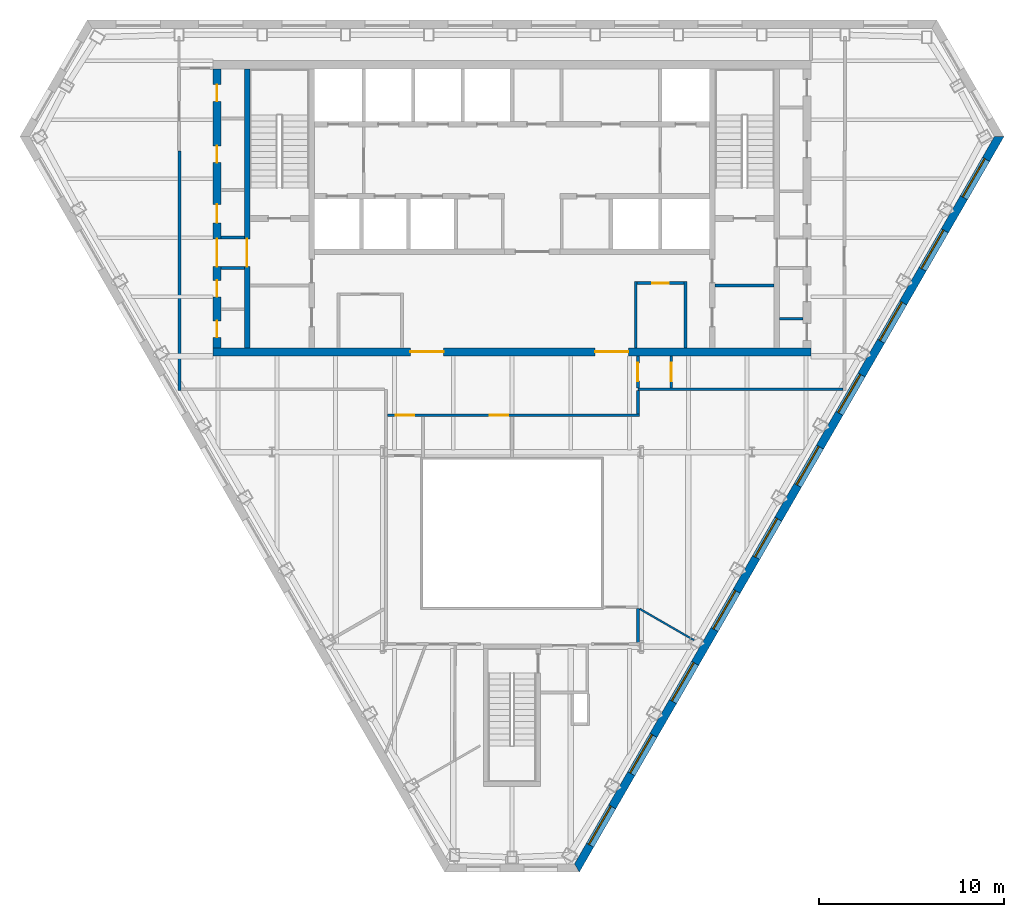
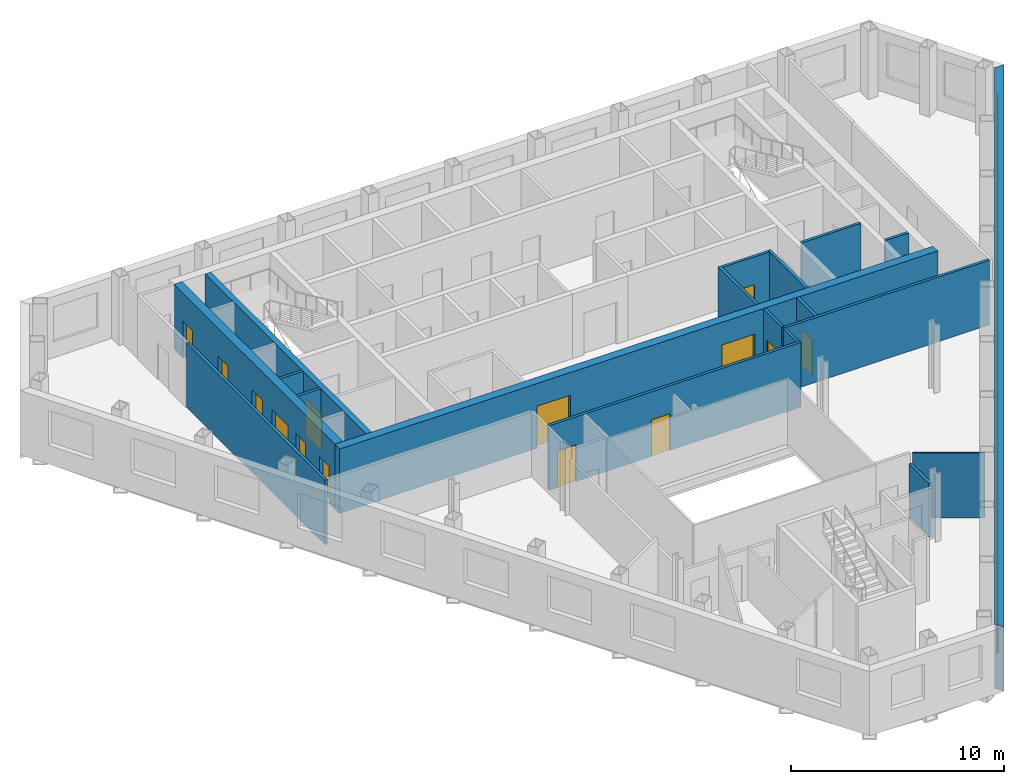
# One storey, part 5 of 11: 19 walls, 14 doors, 10 windows, 24 openings.
"""IFC4 building model written with IfcOpenShell, lengths in metres."""

import ifcopenshell
import ifcopenshell.guid

model = None  # the IFC model being written
_history = None  # IfcOwnerHistory: only IFC2X3 demands one
_inside = {}  # id of a spatial element -> (the spatial element, [elements in it])
_under = {}  # id of a project, library or spatial element -> (it, [spatial elements below it])
_declared = {}  # id of a project -> (the project, [libraries it declares])
_typed = {}  # id of a type object -> (the type object, [elements of that type])
_made_of = {}  # id of a material, layer set ... -> (it, [elements and type objects made of it])


def new_model(schema):
    """Start an empty IFC model of exactly this schema.

    Asked for "IFC4X3", IfcOpenShell would pick the latest addendum, in which some entities
    have other attributes; the version numbers below select the first issue.
    IFC2X3 requires an IfcOwnerHistory on every rooted entity: one is made here for all.
    """
    global model, _history
    if schema == "IFC4X3":
        model = ifcopenshell.file(schema_version=(4, 3, 0, 0))
    else:
        model = ifcopenshell.file(schema=schema)
    _inside.clear()
    _under.clear()
    _declared.clear()
    _typed.clear()
    _made_of.clear()
    _history = None
    if model.schema == "IFC2X3":
        org = make("IfcOrganization", Name="unknown")
        user = make(
            "IfcPersonAndOrganization",
            ThePerson=make("IfcPerson", FamilyName="unknown"),
            TheOrganization=org,
        )
        app = make(
            "IfcApplication",
            ApplicationDeveloper=org,
            Version="unknown",
            ApplicationFullName="unknown",
            ApplicationIdentifier="unknown",
        )
        _history = make(
            "IfcOwnerHistory",
            OwningUser=user,
            OwningApplication=app,
            ChangeAction="ADDED",
            CreationDate=0,
        )
    return model


def make(cls, **values):
    """One entity of the class cls with the attributes given. An attribute that is None is left unset."""
    return model.create_entity(
        cls, **{name: value for name, value in values.items() if value is not None}
    )


def rooted(cls, **values):
    """An entity with a GlobalId (a new one), such as an element, a storey or a relation."""
    return make(cls, GlobalId=ifcopenshell.guid.new(), OwnerHistory=_history, **values)


def si_unit(unit_type, name, prefix=None):
    """IfcSIUnit, for example si_unit("LENGTHUNIT", "METRE", prefix="MILLI")."""
    return make("IfcSIUnit", UnitType=unit_type, Prefix=prefix, Name=name)


def assignment(units):
    """IfcUnitAssignment: the units of a project."""
    return None if units is None else make("IfcUnitAssignment", Units=units)


def point(xyz):
    """IfcCartesianPoint."""
    return None if xyz is None else make("IfcCartesianPoint", Coordinates=xyz)


def direction(xyz):
    """IfcDirection."""
    return None if xyz is None else make("IfcDirection", DirectionRatios=xyz)


def frame(location, z_axis=None, x_axis=None):
    """IfcAxis2Placement3D, a coordinate frame: its origin and axes. An axis left out is left unset."""
    return make(
        "IfcAxis2Placement3D",
        Location=point(location),
        Axis=direction(z_axis),
        RefDirection=direction(x_axis),
    )


def frame_2d(location, x_axis=None):
    """IfcAxis2Placement2D, a coordinate frame in the plane: its origin and x axis."""
    return make(
        "IfcAxis2Placement2D", Location=point(location), RefDirection=direction(x_axis)
    )


def origin():
    """The frame at (0, 0, 0) with its axes left unset."""
    return frame((0.0, 0.0, 0.0))


def place(relative_to, where):
    """IfcLocalPlacement: puts the frame where relative to a parent placement (None: the world)."""
    return make(
        "IfcLocalPlacement", PlacementRelTo=relative_to, RelativePlacement=where
    )


def context(
    kind, dimensions, precision=None, world=None, true_north=None, identifier=None
):
    """IfcGeometricRepresentationContext, for example the 3D "Model" context."""
    return make(
        "IfcGeometricRepresentationContext",
        ContextIdentifier=identifier,
        ContextType=kind,
        CoordinateSpaceDimension=dimensions,
        Precision=precision,
        WorldCoordinateSystem=world,
        TrueNorth=true_north,
    )


def subcontext(parent, identifier, kind, view, scale=None):
    """IfcGeometricRepresentationSubContext, for example "Body" below "Model"."""
    return make(
        "IfcGeometricRepresentationSubContext",
        ContextIdentifier=identifier,
        ContextType=kind,
        ParentContext=parent,
        TargetScale=scale,
        TargetView=view,
    )


def project(units=None, contexts=None):
    """IfcProject with its units and contexts."""
    return rooted(
        "IfcProject",
        Name="project",
        RepresentationContexts=contexts,
        UnitsInContext=assignment(units),
    )


def spatial(cls, under=None, at=None, **own):
    """A site, building, storey or space (cls), placed at a placement, below another one or the project."""
    s = rooted(cls, ObjectPlacement=at, **own)
    if under is not None:
        _under.setdefault(under.id(), (under, []))[1].append(s)
    return s


def polyline(points):
    """IfcPolyline through the points."""
    return make("IfcPolyline", Points=[point(p) for p in points])


def profile(cls, at=None, kind="AREA", **sizes):
    """A parametric profile (cls). Its sizes go by their IFC names, for example OverallWidth=200.0."""
    return make(cls, ProfileType=kind, Position=at, **sizes)


def rectangle(**sizes):
    """IfcRectangleProfileDef."""
    return profile("IfcRectangleProfileDef", **sizes)


def outline(outer, holes=None, kind="AREA"):
    """IfcArbitraryClosedProfileDef: a profile drawn as a closed curve; with holes, ...WithVoids."""
    if holes is None:
        return make("IfcArbitraryClosedProfileDef", ProfileType=kind, OuterCurve=outer)
    return make(
        "IfcArbitraryProfileDefWithVoids",
        ProfileType=kind,
        OuterCurve=outer,
        InnerCurves=holes,
    )


def extrude(swept, where, along, depth):
    """IfcExtrudedAreaSolid: the profile swept, set in the frame where, extruded along a direction by depth."""
    return make(
        "IfcExtrudedAreaSolid",
        SweptArea=swept,
        Position=where,
        ExtrudedDirection=direction(along),
        Depth=depth,
    )


def shape(context_of_items, identifier, shape_type, items):
    """IfcShapeRepresentation: the items that make up one representation, for example the "Body"."""
    return make(
        "IfcShapeRepresentation",
        ContextOfItems=context_of_items,
        RepresentationIdentifier=identifier,
        RepresentationType=shape_type,
        Items=items,
    )


def material(Name=None, Category=None):
    """IfcMaterial."""
    return make("IfcMaterial", Name=Name, Category=Category)


def layer(
    of_material, thickness, ventilated=None, Name=None, Category=None, Priority=None
):
    """IfcMaterialLayer: one layer of a wall or slab, of a material (None: an air gap)."""
    return make(
        "IfcMaterialLayer",
        Material=of_material,
        LayerThickness=thickness,
        IsVentilated=ventilated,
        Name=Name,
        Category=Category,
        Priority=Priority,
    )


def layer_set(layers, Name=None):
    """IfcMaterialLayerSet."""
    return make("IfcMaterialLayerSet", MaterialLayers=layers, LayerSetName=Name)


def made_of(thing, what):
    """Note that an element or type object is made of a material, layer set ...; save() writes the relation."""
    if what is not None:
        _made_of.setdefault(what.id(), (what, []))[1].append(thing)
    return thing


def type_object(cls, material=None, **own):
    """A type object (cls), such as IfcWallType, which elements share."""
    return made_of(rooted(cls, **own), material)


def element(
    cls,
    number,
    at=None,
    inside=None,
    cuts=None,
    type_object=None,
    material=None,
    context=None,
    identifier="Body",
    shape_type=None,
    held_by="IfcProductDefinitionShape",
    body=None,
    shapes=None,
    **own,
):
    """One element of the class cls, such as IfcWall. Its Tag is "e" and its number.

    at: its placement. inside: the storey or other place that contains it. cuts: it is an
    opening in that element (IfcRelVoidsElement). A single representation is given by context,
    identifier, shape_type and body (its items); several are given by shapes. held_by: the class
    of the entity that holds the representations. save() writes the other relations.
    """
    e = rooted(cls, Tag="e%d" % number, ObjectPlacement=at, **own)
    if body is not None:
        shapes = [shape(context, identifier, shape_type, body)]
    if shapes is not None:
        e.Representation = make(held_by, Representations=shapes)
    if inside is not None:
        _inside.setdefault(inside.id(), (inside, []))[1].append(e)
    if cuts is not None:
        rooted(
            "IfcRelVoidsElement", RelatingBuildingElement=cuts, RelatedOpeningElement=e
        )
    if type_object is not None:
        _typed.setdefault(type_object.id(), (type_object, []))[1].append(e)
    return made_of(e, material)


def fill(opening, filler):
    """IfcRelFillsElement: the door or window that sits in an opening."""
    return rooted(
        "IfcRelFillsElement",
        RelatingOpeningElement=opening,
        RelatedBuildingElement=filler,
    )


def aggregate(whole, parts):
    """IfcRelAggregates: a whole, such as a stair, and the parts it consists of."""
    return rooted("IfcRelAggregates", RelatingObject=whole, RelatedObjects=parts)


def save(model, path):
    """Write the relations noted so far, then the file.

    IfcRelAggregates (storeys below a building ...), IfcRelContainedInSpatialStructure (elements
    in a storey), IfcRelDefinesByType, IfcRelAssociatesMaterial and IfcRelDeclares: one each for
    every whole, place, type object, material and project.
    """
    for whole, parts in _under.values():
        aggregate(whole, parts)
    for where, things in _inside.values():
        rooted(
            "IfcRelContainedInSpatialStructure",
            RelatedElements=things,
            RelatingStructure=where,
        )
    for kind, things in _typed.values():
        rooted("IfcRelDefinesByType", RelatedObjects=things, RelatingType=kind)
    for what, things in _made_of.values():
        rooted("IfcRelAssociatesMaterial", RelatedObjects=things, RelatingMaterial=what)
    for by, libraries in _declared.values():
        rooted("IfcRelDeclares", RelatingContext=by, RelatedDefinitions=libraries)
    model.write(path)


model = new_model("IFC4")

# Units and contexts
model_context = context("Model", 3, precision=1e-05, world=origin(), true_north=direction((0.0, 1.0)))
body_context = subcontext(model_context, "Body", "Model", "MODEL_VIEW")
ifc_project = project(units=[si_unit("LENGTHUNIT", "METRE"), si_unit("AREAUNIT", "SQUARE_METRE"), si_unit("VOLUMEUNIT", "CUBIC_METRE"), si_unit("PLANEANGLEUNIT", "RADIAN"), si_unit("MASSUNIT", "GRAM", prefix="KILO")], contexts=[model_context])

# Site, building, storey
site_placement = place(None, origin())
site = spatial("IfcSite", under=ifc_project, at=site_placement, CompositionType="ELEMENT")
building_placement = place(site_placement, origin())
building = spatial("IfcBuilding", under=site, at=building_placement, Name="Njiva Tower", CompositionType="ELEMENT")
storey_placement = place(building_placement, frame((0.0, 0.0, 204.3)))
storey = spatial("IfcBuildingStorey", under=building, at=storey_placement, Name="L45", CompositionType="ELEMENT", Elevation=204.3)

# Walls
ifc_material_1 = material(Name="Blockwork", Category="masonry")
ifc_layer_1 = layer(ifc_material_1, 0.15)
ifc_layer_set_1 = layer_set([ifc_layer_1], Name="Blockwork")
wall_type_1 = type_object("IfcWallType", Name="WT1 Compartment partition 150", PredefinedType="PARTITIONING", material=ifc_layer_set_1)
wall_1_placement = place(storey_placement, frame((11.0, 5.825, 0.0), z_axis=(0.0, 0.0, 1.0), x_axis=(1.0, 0.0, 0.0)))
element("IfcWall", 1, at=wall_1_placement, inside=storey, type_object=wall_type_1, Name="Room wall B", PredefinedType="PARTITIONING", context=body_context, shape_type="SweptSolid", body=[
    extrude(rectangle(XDim=3.2, YDim=0.15, at=frame_2d((1.6, 0.0))), origin(), (0.0, 0.0, 1.0), 3.7),
])
wall_2_placement = place(storey_placement, frame((14.5, 4.025, 0.0), z_axis=(0.0, 0.0, 1.0), x_axis=(1.0, 0.0, 0.0)))
element("IfcWall", 2, at=wall_2_placement, inside=storey, type_object=wall_type_1, Name="Partition strip E00", PredefinedType="PARTITIONING", context=body_context, shape_type="SweptSolid", body=[
    extrude(rectangle(XDim=1.25, YDim=0.15, at=frame_2d((0.625, 0.0))), origin(), (0.0, 0.0, 1.0), 3.7),
])
for number, where, z_axis, x_axis, name in (
    (3, (6.7, 2.45, 0.0), (0.0, 0.0, 1.0), (0.0, 1.0, 0.0), "Information office wall west"),
    (4, (9.4, 2.45, 0.0), (0.0, 0.0, 1.0), (0.0, 1.0, 0.0), "Information office wall east"),
):
    element("IfcWall", number, at=place(storey_placement, frame(where, z_axis=z_axis, x_axis=x_axis)), inside=storey, type_object=wall_type_1, Name=name, PredefinedType="PARTITIONING", context=body_context, shape_type="SweptSolid", body=[
        extrude(rectangle(XDim=3.575, YDim=0.15, at=frame_2d((1.7875, 0.0))), origin(), (0.0, 0.0, 1.0), 3.7),
    ])

# Wall, opening, door
wall_3_placement = place(storey_placement, frame((6.775, 5.95, 0.0), z_axis=(0.0, 0.0, 1.0), x_axis=(1.0, 0.0, 0.0)))
wall_3 = element("IfcWall", 5, at=wall_3_placement, inside=storey, type_object=wall_type_1, Name="Information office wall north", PredefinedType="PARTITIONING", context=body_context, shape_type="SweptSolid", body=[
    extrude(rectangle(XDim=2.55, YDim=0.15, at=frame_2d((1.275, 0.0))), origin(), (0.0, 0.0, 1.0), 3.7),
])
opening_1_placement = place(wall_3_placement, frame((0.825, 0.0, 0.0)))
opening_1 = element("IfcOpeningElement", 6, at=opening_1_placement, cuts=wall_3, Name="Opening S15-D936", PredefinedType="OPENING", context=body_context, shape_type="SweptSolid", body=[
    extrude(rectangle(XDim=0.9, YDim=2.1, at=frame_2d((0.45, 1.05))), frame((0.0, 0.085, 0.0), z_axis=(0.0, -1.0, 0.0), x_axis=(1.0, 0.0, 0.0)), (0.0, 0.0, 1.0), 0.17),
])
ifc_material_2 = material(Name="Steel fire door, painted", Category="steel")
door_type_1 = type_object("IfcDoorType", Name="D6 Fire-rated door 900x2100", OperationType="SINGLE_SWING_LEFT", PredefinedType="DOOR", material=ifc_material_2)
door_1_placement = place(opening_1_placement, origin())
door_1 = element("IfcDoor", 7, at=door_1_placement, inside=storey, type_object=door_type_1, Name="Information office door", OperationType="SINGLE_SWING_RIGHT", OverallHeight=2.1, OverallWidth=0.9, PredefinedType="DOOR", context=body_context, shape_type="SweptSolid", body=[
    extrude(rectangle(XDim=0.9, YDim=2.1, at=frame_2d((0.45, 1.05))), frame((0.0, 0.025, 0.0), z_axis=(0.0, -1.0, 0.0), x_axis=(1.0, 0.0, 0.0)), (0.0, 0.0, 1.0), 0.05),
])
fill(opening_1, door_1)

ifc_material_3 = material(Name="Concrete C40/50", Category="concrete")
ifc_layer_2 = layer(ifc_material_3, 0.3)
ifc_layer_set_2 = layer_set([ifc_layer_2], Name="Concrete C40/50")
wall_type_2 = type_object("IfcWallType", Name="WT10 Stair enclosure wall 300", PredefinedType="SHEAR", material=ifc_layer_set_2)
wall_4_placement = place(storey_placement, frame((-14.35, 2.45, 0.0), z_axis=(0.0, 0.0, 1.0), x_axis=(0.0, 1.0, 0.0)))
wall_4 = element("IfcWall", 8, at=wall_4_placement, inside=storey, type_object=wall_type_2, Name="Stair wall west outer", PredefinedType="SHEAR", context=body_context, shape_type="SweptSolid", body=[
    extrude(rectangle(XDim=15.1, YDim=0.3, at=frame_2d((7.55, 0.0))), origin(), (0.0, 0.0, 1.0), 3.7),
])
opening_2_placement = place(wall_4_placement, frame((4.4, 0.0, 0.0)))
opening_2 = element("IfcOpeningElement", 9, at=opening_2_placement, cuts=wall_4, Name="Opening S15-D921", PredefinedType="OPENING", context=body_context, shape_type="SweptSolid", body=[
    extrude(rectangle(XDim=1.5, YDim=2.1, at=frame_2d((0.75, 1.05))), frame((0.0, 0.16, 0.0), z_axis=(0.0, -1.0, 0.0), x_axis=(1.0, 0.0, 0.0)), (0.0, 0.0, 1.0), 0.32),
])
ifc_material_4 = material(Name="Glazed steel fire door", Category="steel")
door_type_2 = type_object("IfcDoorType", Name="D10 Exit door double 1500x2100 glazed", OperationType="DOUBLE_DOOR_SINGLE_SWING", PredefinedType="DOOR", material=ifc_material_4)
door_2_placement = place(opening_2_placement, origin())
door_2 = element("IfcDoor", 10, at=door_2_placement, inside=storey, type_object=door_type_2, Name="Stair A passage door", OperationType="DOUBLE_DOOR_SINGLE_SWING", OverallHeight=2.1, OverallWidth=1.5, PredefinedType="DOOR", context=body_context, shape_type="SweptSolid", body=[
    extrude(rectangle(XDim=1.5, YDim=2.1, at=frame_2d((0.75, 1.05))), frame((0.0, 0.025, 0.0), z_axis=(0.0, -1.0, 0.0), x_axis=(1.0, 0.0, 0.0)), (0.0, 0.0, 1.0), 0.05),
])
fill(opening_2, door_2)

# Wall, openings, doors
ifc_material_5 = material(Name="Concrete C60/75", Category="concrete")
ifc_layer_3 = layer(ifc_material_5, 0.45)
ifc_layer_set_3 = layer_set([ifc_layer_3], Name="Concrete C60/75")
wall_type_3 = type_object("IfcWallType", Name="WT12 Core wall 450", PredefinedType="SHEAR", material=ifc_layer_set_3)
wall_5_placement = place(storey_placement, frame((-16.2, 2.225, 0.0), z_axis=(0.0, 0.0, 1.0), x_axis=(1.0, 0.0, 0.0)))
wall_5 = element("IfcWall", 11, at=wall_5_placement, inside=storey, type_object=wall_type_3, Name="Core wall south", PredefinedType="SHEAR", context=body_context, shape_type="SweptSolid", body=[
    extrude(rectangle(XDim=32.4, YDim=0.45, at=frame_2d((16.2, 0.0))), origin(), (0.0, 0.0, 1.0), 3.7),
])
opening_3_placement = place(wall_5_placement, frame((10.7, 0.0, 0.0)))
opening_3 = element("IfcOpeningElement", 12, at=opening_3_placement, cuts=wall_5, Name="Opening S15-D938", PredefinedType="OPENING", context=body_context, shape_type="SweptSolid", body=[
    extrude(rectangle(XDim=1.8, YDim=2.4, at=frame_2d((0.9, 1.2))), frame((0.0, 0.235, 0.0), z_axis=(0.0, -1.0, 0.0), x_axis=(1.0, 0.0, 0.0)), (0.0, 0.0, 1.0), 0.47),
])
opening_4_placement = place(wall_5_placement, frame((20.7, 0.0, 0.0)))
opening_4 = element("IfcOpeningElement", 13, at=opening_4_placement, cuts=wall_5, Name="Opening S15-D939", PredefinedType="OPENING", context=body_context, shape_type="SweptSolid", body=[
    extrude(rectangle(XDim=1.8, YDim=2.4, at=frame_2d((0.9, 1.2))), frame((0.0, 0.235, 0.0), z_axis=(0.0, -1.0, 0.0), x_axis=(1.0, 0.0, 0.0)), (0.0, 0.0, 1.0), 0.47),
])
ifc_material_6 = material(Name="Steel and glass door", Category="steel")
door_type_3 = type_object("IfcDoorType", Name="D3 Core entrance door 1800x2400", OperationType="DOUBLE_DOOR_SINGLE_SWING", PredefinedType="DOOR", material=ifc_material_6)
door_3_placement = place(opening_3_placement, origin())
door_3 = element("IfcDoor", 14, at=door_3_placement, inside=storey, type_object=door_type_3, Name="Core entrance door", OperationType="DOUBLE_DOOR_SINGLE_SWING", OverallHeight=2.4, OverallWidth=1.8, PredefinedType="DOOR", context=body_context, shape_type="SweptSolid", body=[
    extrude(rectangle(XDim=1.8, YDim=2.4, at=frame_2d((0.9, 1.2))), frame((0.0, 0.025, 0.0), z_axis=(0.0, -1.0, 0.0), x_axis=(1.0, 0.0, 0.0)), (0.0, 0.0, 1.0), 0.05),
])
fill(opening_3, door_3)
door_4_placement = place(opening_4_placement, origin())
door_4 = element("IfcDoor", 15, at=door_4_placement, inside=storey, type_object=door_type_3, Name="Core entrance door", OperationType="DOUBLE_DOOR_SINGLE_SWING", OverallHeight=2.4, OverallWidth=1.8, PredefinedType="DOOR", context=body_context, shape_type="SweptSolid", body=[
    extrude(rectangle(XDim=1.8, YDim=2.4, at=frame_2d((0.9, 1.2))), frame((0.0, 0.025, 0.0), z_axis=(0.0, -1.0, 0.0), x_axis=(1.0, 0.0, 0.0)), (0.0, 0.0, 1.0), 0.05),
])
fill(opening_4, door_4)

wall_6_placement = place(storey_placement, frame((-15.975, 2.45, 0.0), z_axis=(0.0, 0.0, 1.0), x_axis=(0.0, 1.0, 0.0)))
wall_6 = element("IfcWall", 16, at=wall_6_placement, inside=storey, type_object=wall_type_3, Name="Core wall west", PredefinedType="SHEAR", context=body_context, shape_type="SweptSolid", body=[
    extrude(rectangle(XDim=15.1, YDim=0.45, at=frame_2d((7.55, 0.0))), origin(), (0.0, 0.0, 1.0), 3.7),
])
opening_5_placement = place(wall_6_placement, frame((4.4, 0.0, 0.0)))
opening_5 = element("IfcOpeningElement", 17, at=opening_5_placement, cuts=wall_6, Name="Opening S15-D922", PredefinedType="OPENING", context=body_context, shape_type="SweptSolid", body=[
    extrude(rectangle(XDim=1.5, YDim=2.1, at=frame_2d((0.75, 1.05))), frame((0.0, 0.235, 0.0), z_axis=(0.0, -1.0, 0.0), x_axis=(1.0, 0.0, 0.0)), (0.0, 0.0, 1.0), 0.47),
])
opening_6_placement = place(wall_6_placement, frame((0.5557, 0.0, 0.0)))
opening_6 = element("IfcOpeningElement", 18, at=opening_6_placement, cuts=wall_6, Name="Opening S15-D923", PredefinedType="OPENING", context=body_context, shape_type="SweptSolid", body=[
    extrude(rectangle(XDim=0.9, YDim=2.1, at=frame_2d((0.45, 1.05))), frame((0.0, 0.235, 0.0), z_axis=(0.0, -1.0, 0.0), x_axis=(1.0, 0.0, 0.0)), (0.0, 0.0, 1.0), 0.47),
])
opening_7_placement = place(wall_6_placement, frame((2.7557, 0.0, 0.0)))
opening_7 = element("IfcOpeningElement", 19, at=opening_7_placement, cuts=wall_6, Name="Opening S15-D924", PredefinedType="OPENING", context=body_context, shape_type="SweptSolid", body=[
    extrude(rectangle(XDim=0.9, YDim=2.1, at=frame_2d((0.45, 1.05))), frame((0.0, 0.235, 0.0), z_axis=(0.0, -1.0, 0.0), x_axis=(1.0, 0.0, 0.0)), (0.0, 0.0, 1.0), 0.47),
])
opening_8_placement = place(wall_6_placement, frame((6.7601, 0.0, 0.0)))
opening_8 = element("IfcOpeningElement", 20, at=opening_8_placement, cuts=wall_6, Name="Opening S15-D925", PredefinedType="OPENING", context=body_context, shape_type="SweptSolid", body=[
    extrude(rectangle(XDim=1.0, YDim=2.1, at=frame_2d((0.5, 1.05))), frame((0.0, 0.235, 0.0), z_axis=(0.0, -1.0, 0.0), x_axis=(1.0, 0.0, 0.0)), (0.0, 0.0, 1.0), 0.47),
])
opening_9_placement = place(wall_6_placement, frame((10.0319, 0.0, 0.0)))
opening_9 = element("IfcOpeningElement", 21, at=opening_9_placement, cuts=wall_6, Name="Opening S15-D926", PredefinedType="OPENING", context=body_context, shape_type="SweptSolid", body=[
    extrude(rectangle(XDim=0.9, YDim=2.1, at=frame_2d((0.45, 1.05))), frame((0.0, 0.235, 0.0), z_axis=(0.0, -1.0, 0.0), x_axis=(1.0, 0.0, 0.0)), (0.0, 0.0, 1.0), 0.47),
])
opening_10_placement = place(wall_6_placement, frame((13.3468, 0.0, 0.0)))
opening_10 = element("IfcOpeningElement", 22, at=opening_10_placement, cuts=wall_6, Name="Opening S15-D927", PredefinedType="OPENING", context=body_context, shape_type="SweptSolid", body=[
    extrude(rectangle(XDim=0.9, YDim=2.1, at=frame_2d((0.45, 1.05))), frame((0.0, 0.235, 0.0), z_axis=(0.0, -1.0, 0.0), x_axis=(1.0, 0.0, 0.0)), (0.0, 0.0, 1.0), 0.47),
])
door_5_placement = place(opening_5_placement, origin())
door_5 = element("IfcDoor", 23, at=door_5_placement, inside=storey, type_object=door_type_2, Name="Stair A corridor door", OperationType="DOUBLE_DOOR_SINGLE_SWING", OverallHeight=2.1, OverallWidth=1.5, PredefinedType="DOOR", context=body_context, shape_type="SweptSolid", body=[
    extrude(rectangle(XDim=1.5, YDim=2.1, at=frame_2d((0.75, 1.05))), frame((0.0, 0.025, 0.0), z_axis=(0.0, -1.0, 0.0), x_axis=(1.0, 0.0, 0.0)), (0.0, 0.0, 1.0), 0.05),
])
fill(opening_5, door_5)
ifc_material_7 = material(Name="Steel door, painted", Category="steel")
door_type_4 = type_object("IfcDoorType", Name="D4 Riser door 900x2100", OperationType="SINGLE_SWING_LEFT", PredefinedType="DOOR", material=ifc_material_7)
door_6_placement = place(opening_10_placement, origin())
door_6 = element("IfcDoor", 24, at=door_6_placement, inside=storey, type_object=door_type_4, Name="Cable riser door", OperationType="SINGLE_SWING_LEFT", OverallHeight=2.1, OverallWidth=0.9, PredefinedType="DOOR", context=body_context, shape_type="SweptSolid", body=[
    extrude(rectangle(XDim=0.9, YDim=2.1, at=frame_2d((0.45, 1.05))), frame((0.0, 0.025, 0.0), z_axis=(0.0, -1.0, 0.0), x_axis=(1.0, 0.0, 0.0)), (0.0, 0.0, 1.0), 0.05),
])
fill(opening_10, door_6)
door_type_5 = type_object("IfcDoorType", Name="D5 Steel door 1000x2100", OperationType="SINGLE_SWING_LEFT", PredefinedType="DOOR", material=ifc_material_7)
door_7_placement = place(opening_8_placement, origin())
door_7 = element("IfcDoor", 25, at=door_7_placement, inside=storey, type_object=door_type_5, Name="Telecoms room door", OperationType="SINGLE_SWING_RIGHT", OverallHeight=2.1, OverallWidth=1.0, PredefinedType="DOOR", context=body_context, shape_type="SweptSolid", body=[
    extrude(rectangle(XDim=1.0, YDim=2.1, at=frame_2d((0.5, 1.05))), frame((0.0, 0.025, 0.0), z_axis=(0.0, -1.0, 0.0), x_axis=(1.0, 0.0, 0.0)), (0.0, 0.0, 1.0), 0.05),
])
fill(opening_8, door_7)
door_8_placement = place(opening_6_placement, origin())
door_8 = element("IfcDoor", 26, at=door_8_placement, inside=storey, type_object=door_type_1, Name="Cable store door", OperationType="SINGLE_SWING_RIGHT", OverallHeight=2.1, OverallWidth=0.9, PredefinedType="DOOR", context=body_context, shape_type="SweptSolid", body=[
    extrude(rectangle(XDim=0.9, YDim=2.1, at=frame_2d((0.45, 1.05))), frame((0.0, 0.025, 0.0), z_axis=(0.0, -1.0, 0.0), x_axis=(1.0, 0.0, 0.0)), (0.0, 0.0, 1.0), 0.05),
])
fill(opening_6, door_8)
door_9_placement = place(opening_7_placement, origin())
door_9 = element("IfcDoor", 27, at=door_9_placement, inside=storey, type_object=door_type_1, Name="Cable store door", OperationType="SINGLE_SWING_RIGHT", OverallHeight=2.1, OverallWidth=0.9, PredefinedType="DOOR", context=body_context, shape_type="SweptSolid", body=[
    extrude(rectangle(XDim=0.9, YDim=2.1, at=frame_2d((0.45, 1.05))), frame((0.0, 0.025, 0.0), z_axis=(0.0, -1.0, 0.0), x_axis=(1.0, 0.0, 0.0)), (0.0, 0.0, 1.0), 0.05),
])
fill(opening_7, door_9)
door_10_placement = place(opening_9_placement, origin())
door_10 = element("IfcDoor", 28, at=door_10_placement, inside=storey, type_object=door_type_1, Name="Cable store door", OperationType="SINGLE_SWING_LEFT", OverallHeight=2.1, OverallWidth=0.9, PredefinedType="DOOR", context=body_context, shape_type="SweptSolid", body=[
    extrude(rectangle(XDim=0.9, YDim=2.1, at=frame_2d((0.45, 1.05))), frame((0.0, 0.025, 0.0), z_axis=(0.0, -1.0, 0.0), x_axis=(1.0, 0.0, 0.0)), (0.0, 0.0, 1.0), 0.05),
])
fill(opening_9, door_10)

# Walls
ifc_material_8 = material(Name="Gypsum board on steel studs", Category="gypsum")
ifc_layer_4 = layer(ifc_material_8, 0.1)
ifc_layer_set_4 = layer_set([ifc_layer_4], Name="Gypsum board on steel studs")
wall_type_4 = type_object("IfcWallType", Name="WT20 Gypsum partition 100", PredefinedType="PARTITIONING", material=ifc_layer_set_4)
wall_7_placement = place(storey_placement, frame((6.92, -11.693, 0.0), z_axis=(0.0, 0.0, 1.0), x_axis=(0.866259181428, -0.499594866458, 0.0)))
element("IfcWall", 29, at=wall_7_placement, inside=storey, type_object=wall_type_4, Name="Partition S15-P023", PredefinedType="PARTITIONING", context=body_context, shape_type="SweptSolid", body=[
    extrude(rectangle(XDim=3.3927, YDim=0.1, at=frame_2d((1.6964, 0.0))), origin(), (0.0, 0.0, 1.0), 3.7),
])
ifc_layer_5 = layer(ifc_material_8, 0.15)
ifc_layer_set_5 = layer_set([ifc_layer_5], Name="Gypsum board on steel studs")
wall_type_5 = type_object("IfcWallType", Name="WT21 Compartment wall 150", PredefinedType="PARTITIONING", material=ifc_layer_set_5)
wall_8_placement = place(storey_placement, frame((-18.0, 0.125, 0.0), z_axis=(0.0, 0.0, 1.0), x_axis=(0.0, 1.0, 0.0)))
element("IfcWall", 30, at=wall_8_placement, inside=storey, type_object=wall_type_5, Name="Partition S15-P003", PredefinedType="PARTITIONING", context=body_context, shape_type="SweptSolid", body=[
    extrude(rectangle(XDim=12.98, YDim=0.15, at=frame_2d((6.49, 0.0))), origin(), (0.0, 0.0, 1.0), 3.7),
])

# Wall, openings, doors
wall_9_placement = place(storey_placement, frame((-6.745, -1.2, 0.0), z_axis=(0.0, 0.0, 1.0), x_axis=(1.0, 0.0, 0.0)))
wall_9 = element("IfcWall", 31, at=wall_9_placement, inside=storey, type_object=wall_type_5, Name="Partition S15-P011", PredefinedType="PARTITIONING", context=body_context, shape_type="SweptSolid", body=[
    extrude(rectangle(XDim=13.64, YDim=0.15, at=frame_2d((6.82, 0.0))), origin(), (0.0, 0.0, 1.0), 3.7),
])
opening_11_placement = place(wall_9_placement, frame((0.462, 0.0, 0.0)))
opening_11 = element("IfcOpeningElement", 32, at=opening_11_placement, cuts=wall_9, Name="Opening S15-D007", PredefinedType="OPENING", context=body_context, shape_type="SweptSolid", body=[
    extrude(rectangle(XDim=1.0, YDim=2.1, at=frame_2d((0.5, 1.05))), frame((0.0, 0.085, 0.0), z_axis=(0.0, -1.0, 0.0), x_axis=(1.0, 0.0, 0.0)), (0.0, 0.0, 1.0), 0.17),
])
opening_12_placement = place(wall_9_placement, frame((5.544, 0.0, 0.0)))
opening_12 = element("IfcOpeningElement", 33, at=opening_12_placement, cuts=wall_9, Name="Opening S15-D008", PredefinedType="OPENING", context=body_context, shape_type="SweptSolid", body=[
    extrude(rectangle(XDim=1.0, YDim=2.1, at=frame_2d((0.5, 1.05))), frame((0.0, 0.085, 0.0), z_axis=(0.0, -1.0, 0.0), x_axis=(1.0, 0.0, 0.0)), (0.0, 0.0, 1.0), 0.17),
])
ifc_material_9 = material(Name="Steel fire door set", Category="steel")
door_type_6 = type_object("IfcDoorType", Name="D37 Fire door 1000x2100", OperationType="SINGLE_SWING_LEFT", PredefinedType="DOOR", material=ifc_material_9)
door_11_placement = place(opening_11_placement, origin())
door_11 = element("IfcDoor", 34, at=door_11_placement, inside=storey, type_object=door_type_6, Name="Door S15-D007", OperationType="SINGLE_SWING_RIGHT", OverallHeight=2.1, OverallWidth=1.0, PredefinedType="DOOR", context=body_context, shape_type="SweptSolid", body=[
    extrude(rectangle(XDim=1.0, YDim=2.1, at=frame_2d((0.5, 1.05))), frame((0.0, 0.025, 0.0), z_axis=(0.0, -1.0, 0.0), x_axis=(1.0, 0.0, 0.0)), (0.0, 0.0, 1.0), 0.05),
])
fill(opening_11, door_11)
door_12_placement = place(opening_12_placement, origin())
door_12 = element("IfcDoor", 35, at=door_12_placement, inside=storey, type_object=door_type_6, Name="Door S15-D008", OperationType="SINGLE_SWING_LEFT", OverallHeight=2.1, OverallWidth=1.0, PredefinedType="DOOR", context=body_context, shape_type="SweptSolid", body=[
    extrude(rectangle(XDim=1.0, YDim=2.1, at=frame_2d((0.5, 1.05))), frame((0.0, 0.025, 0.0), z_axis=(0.0, -1.0, 0.0), x_axis=(1.0, 0.0, 0.0)), (0.0, 0.0, 1.0), 0.05),
])
fill(opening_12, door_12)

# Walls
wall_10_placement = place(storey_placement, frame((6.82, -13.525, 0.0), z_axis=(0.0, 0.0, 1.0), x_axis=(0.0, 1.0, 0.0)))
element("IfcWall", 36, at=wall_10_placement, inside=storey, type_object=wall_type_5, Name="Partition S15-P019", PredefinedType="PARTITIONING", context=body_context, shape_type="SweptSolid", body=[
    extrude(rectangle(XDim=1.85, YDim=0.15, at=frame_2d((0.925, 0.0))), origin(), (0.0, 0.0, 1.0), 3.11),
])
wall_11_placement = place(storey_placement, frame((6.82, -1.125, 0.0), z_axis=(0.0, 0.0, 1.0), x_axis=(0.0, 1.0, 0.0)))
element("IfcWall", 37, at=wall_11_placement, inside=storey, type_object=wall_type_5, Name="Partition S15-P020", PredefinedType="PARTITIONING", context=body_context, shape_type="SweptSolid", body=[
    extrude(rectangle(XDim=1.25, YDim=0.15, at=frame_2d((0.625, 0.0))), origin(), (0.0, 0.0, 1.0), 3.7),
])

# Wall, opening, door
wall_12_placement = place(storey_placement, frame((6.82, 0.275, 0.0), z_axis=(0.0, 0.0, 1.0), x_axis=(0.0, 1.0, 0.0)))
wall_12 = element("IfcWall", 38, at=wall_12_placement, inside=storey, type_object=wall_type_5, Name="Partition S15-P021", PredefinedType="PARTITIONING", context=body_context, shape_type="SweptSolid", body=[
    extrude(rectangle(XDim=1.725, YDim=0.15, at=frame_2d((0.8625, 0.0))), origin(), (0.0, 0.0, 1.0), 3.7),
])
opening_13_placement = place(wall_12_placement, frame((0.362, 0.0, 0.0)))
opening_13 = element("IfcOpeningElement", 39, at=opening_13_placement, cuts=wall_12, Name="Opening S15-D011", PredefinedType="OPENING", context=body_context, shape_type="SweptSolid", body=[
    extrude(rectangle(XDim=1.0, YDim=2.1, at=frame_2d((0.5, 1.05))), frame((0.0, 0.085, 0.0), z_axis=(0.0, -1.0, 0.0), x_axis=(1.0, 0.0, 0.0)), (0.0, 0.0, 1.0), 0.17),
])
door_13_placement = place(opening_13_placement, origin())
door_13 = element("IfcDoor", 40, at=door_13_placement, inside=storey, type_object=door_type_6, Name="Door S15-D011", OperationType="SINGLE_SWING_LEFT", OverallHeight=2.1, OverallWidth=1.0, PredefinedType="DOOR", context=body_context, shape_type="SweptSolid", body=[
    extrude(rectangle(XDim=1.0, YDim=2.1, at=frame_2d((0.5, 1.05))), frame((0.0, 0.025, 0.0), z_axis=(0.0, -1.0, 0.0), x_axis=(1.0, 0.0, 0.0)), (0.0, 0.0, 1.0), 0.05),
])
fill(opening_13, door_13)

# Wall
wall_13_placement = place(storey_placement, frame((6.824, 0.2, 0.0), z_axis=(0.0, 0.0, 1.0), x_axis=(1.0, 0.0, 0.0)))
element("IfcWall", 41, at=wall_13_placement, inside=storey, type_object=wall_type_5, Name="Partition S15-P022", PredefinedType="PARTITIONING", context=body_context, shape_type="SweptSolid", body=[
    extrude(rectangle(XDim=11.101, YDim=0.15, at=frame_2d((5.5505, 0.0))), origin(), (0.0, 0.0, 1.0), 3.7),
])

# Wall, opening, door
wall_14_placement = place(storey_placement, frame((8.62, 0.275, 0.0), z_axis=(0.0, 0.0, 1.0), x_axis=(0.0, 1.0, 0.0)))
wall_14 = element("IfcWall", 42, at=wall_14_placement, inside=storey, type_object=wall_type_5, Name="Partition S15-P024", PredefinedType="PARTITIONING", context=body_context, shape_type="SweptSolid", body=[
    extrude(rectangle(XDim=1.725, YDim=0.15, at=frame_2d((0.8625, 0.0))), origin(), (0.0, 0.0, 1.0), 3.7),
])
opening_14_placement = place(wall_14_placement, frame((0.363, 0.0, 0.0)))
opening_14 = element("IfcOpeningElement", 43, at=opening_14_placement, cuts=wall_14, Name="Opening S15-D012", PredefinedType="OPENING", context=body_context, shape_type="SweptSolid", body=[
    extrude(rectangle(XDim=1.0, YDim=2.1, at=frame_2d((0.5, 1.05))), frame((0.0, 0.085, 0.0), z_axis=(0.0, -1.0, 0.0), x_axis=(1.0, 0.0, 0.0)), (0.0, 0.0, 1.0), 0.17),
])
door_14_placement = place(opening_14_placement, origin())
door_14 = element("IfcDoor", 44, at=door_14_placement, inside=storey, type_object=door_type_6, Name="Door S15-D012", OperationType="SINGLE_SWING_RIGHT", OverallHeight=2.1, OverallWidth=1.0, PredefinedType="DOOR", context=body_context, shape_type="SweptSolid", body=[
    extrude(rectangle(XDim=1.0, YDim=2.1, at=frame_2d((0.5, 1.05))), frame((0.0, 0.025, 0.0), z_axis=(0.0, -1.0, 0.0), x_axis=(1.0, 0.0, 0.0)), (0.0, 0.0, 1.0), 0.05),
])
fill(opening_14, door_14)

# Walls
ifc_layer_6 = layer(ifc_material_1, 0.15)
ifc_layer_set_6 = layer_set([ifc_layer_6], Name="Blockwork")
wall_type_6 = type_object("IfcWallType", Name="WT4 Stair partition 150", PredefinedType="PARTITIONING", material=ifc_layer_set_6)
for number, where, z_axis, x_axis, name in (
    (45, (-15.75, 6.775, 0.0), (0.0, 0.0, 1.0), (1.0, 0.0, 0.0), "Stair A exit passage wall south"),
    (46, (-15.75, 8.425, 0.0), (0.0, 0.0, 1.0), (1.0, 0.0, 0.0), "Stair A exit passage wall north"),
):
    element("IfcWall", number, at=place(storey_placement, frame(where, z_axis=z_axis, x_axis=x_axis)), inside=storey, type_object=wall_type_6, Name=name, PredefinedType="PARTITIONING", context=body_context, shape_type="SweptSolid", body=[
        extrude(rectangle(XDim=1.25, YDim=0.15, at=frame_2d((0.625, 0.0))), origin(), (0.0, 0.0, 1.0), 3.7),
    ])

# Wall, openings, windows
ifc_material_10 = material(Name="Brick masonry", Category="masonry")
ifc_layer_7 = layer(ifc_material_10, 0.45)
ifc_layer_set_7 = layer_set([ifc_layer_7], Name="Brick masonry")
wall_type_7 = type_object("IfcWallType", Name="WT90 Brick pier and spandrel wall 450", PredefinedType="SOLIDWALL", material=ifc_layer_set_7)
wall_15_placement = place(storey_placement, frame((3.5151, -25.7255, -0.18), z_axis=(0.0, 0.0, 1.0), x_axis=(0.499999764979, 0.866025539474, 0.0)))
wall_15 = element("IfcWall", 47, at=wall_15_placement, inside=storey, type_object=wall_type_7, Name="Facade wall SE", PredefinedType="SOLIDWALL", context=body_context, shape_type="SweptSolid", body=[
    extrude(outline(polyline([(-0.1299, -0.225), (45.8701, -0.225), (45.6103, 0.225), (0.1299, 0.225), (-0.1299, -0.225)])), origin(), (0.0, 0.0, 1.0), 3.68),
])
opening_15_placement = place(wall_15_placement, frame((1.4242, 0.0, 1.08)))
opening_15 = element("IfcOpeningElement", 48, at=opening_15_placement, cuts=wall_15, Name="Opening S15-W23", PredefinedType="OPENING", context=body_context, shape_type="SweptSolid", body=[
    extrude(rectangle(XDim=2.4, YDim=2.0, at=frame_2d((1.2, 1.0))), frame((0.0, 0.235, 0.0), z_axis=(0.0, -1.0, 0.0), x_axis=(1.0, 0.0, 0.0)), (0.0, 0.0, 1.0), 0.47),
])
opening_16_placement = place(wall_15_placement, frame((5.8934, 0.0, 1.08)))
opening_16 = element("IfcOpeningElement", 49, at=opening_16_placement, cuts=wall_15, Name="Opening S15-W24", PredefinedType="OPENING", context=body_context, shape_type="SweptSolid", body=[
    extrude(rectangle(XDim=2.4, YDim=2.0, at=frame_2d((1.2, 1.0))), frame((0.0, 0.235, 0.0), z_axis=(0.0, -1.0, 0.0), x_axis=(1.0, 0.0, 0.0)), (0.0, 0.0, 1.0), 0.47),
])
opening_17_placement = place(wall_15_placement, frame((10.401, 0.0, 1.08)))
opening_17 = element("IfcOpeningElement", 50, at=opening_17_placement, cuts=wall_15, Name="Opening S15-W25", PredefinedType="OPENING", context=body_context, shape_type="SweptSolid", body=[
    extrude(rectangle(XDim=2.4, YDim=2.0, at=frame_2d((1.2, 1.0))), frame((0.0, 0.235, 0.0), z_axis=(0.0, -1.0, 0.0), x_axis=(1.0, 0.0, 0.0)), (0.0, 0.0, 1.0), 0.47),
])
opening_18_placement = place(wall_15_placement, frame((14.9087, 0.0, 1.08)))
opening_18 = element("IfcOpeningElement", 51, at=opening_18_placement, cuts=wall_15, Name="Opening S15-W26", PredefinedType="OPENING", context=body_context, shape_type="SweptSolid", body=[
    extrude(rectangle(XDim=2.4, YDim=2.0, at=frame_2d((1.2, 1.0))), frame((0.0, 0.235, 0.0), z_axis=(0.0, -1.0, 0.0), x_axis=(1.0, 0.0, 0.0)), (0.0, 0.0, 1.0), 0.47),
])
opening_19_placement = place(wall_15_placement, frame((19.4163, 0.0, 1.08)))
opening_19 = element("IfcOpeningElement", 52, at=opening_19_placement, cuts=wall_15, Name="Opening S15-W27", PredefinedType="OPENING", context=body_context, shape_type="SweptSolid", body=[
    extrude(rectangle(XDim=2.4, YDim=2.0, at=frame_2d((1.2, 1.0))), frame((0.0, 0.235, 0.0), z_axis=(0.0, -1.0, 0.0), x_axis=(1.0, 0.0, 0.0)), (0.0, 0.0, 1.0), 0.47),
])
opening_20_placement = place(wall_15_placement, frame((23.9239, 0.0, 1.08)))
opening_20 = element("IfcOpeningElement", 53, at=opening_20_placement, cuts=wall_15, Name="Opening S15-W28", PredefinedType="OPENING", context=body_context, shape_type="SweptSolid", body=[
    extrude(rectangle(XDim=2.4, YDim=2.0, at=frame_2d((1.2, 1.0))), frame((0.0, 0.235, 0.0), z_axis=(0.0, -1.0, 0.0), x_axis=(1.0, 0.0, 0.0)), (0.0, 0.0, 1.0), 0.47),
])
opening_21_placement = place(wall_15_placement, frame((28.4315, 0.0, 1.08)))
opening_21 = element("IfcOpeningElement", 54, at=opening_21_placement, cuts=wall_15, Name="Opening S15-W29", PredefinedType="OPENING", context=body_context, shape_type="SweptSolid", body=[
    extrude(rectangle(XDim=2.4, YDim=2.0, at=frame_2d((1.2, 1.0))), frame((0.0, 0.235, 0.0), z_axis=(0.0, -1.0, 0.0), x_axis=(1.0, 0.0, 0.0)), (0.0, 0.0, 1.0), 0.47),
])
opening_22_placement = place(wall_15_placement, frame((32.9391, 0.0, 1.08)))
opening_22 = element("IfcOpeningElement", 55, at=opening_22_placement, cuts=wall_15, Name="Opening S15-W30", PredefinedType="OPENING", context=body_context, shape_type="SweptSolid", body=[
    extrude(rectangle(XDim=2.4, YDim=2.0, at=frame_2d((1.2, 1.0))), frame((0.0, 0.235, 0.0), z_axis=(0.0, -1.0, 0.0), x_axis=(1.0, 0.0, 0.0)), (0.0, 0.0, 1.0), 0.47),
])
opening_23_placement = place(wall_15_placement, frame((37.4468, 0.0, 1.08)))
opening_23 = element("IfcOpeningElement", 56, at=opening_23_placement, cuts=wall_15, Name="Opening S15-W31", PredefinedType="OPENING", context=body_context, shape_type="SweptSolid", body=[
    extrude(rectangle(XDim=2.4, YDim=2.0, at=frame_2d((1.2, 1.0))), frame((0.0, 0.235, 0.0), z_axis=(0.0, -1.0, 0.0), x_axis=(1.0, 0.0, 0.0)), (0.0, 0.0, 1.0), 0.47),
])
opening_24_placement = place(wall_15_placement, frame((41.916, 0.0, 1.08)))
opening_24 = element("IfcOpeningElement", 57, at=opening_24_placement, cuts=wall_15, Name="Opening S15-W32", PredefinedType="OPENING", context=body_context, shape_type="SweptSolid", body=[
    extrude(rectangle(XDim=2.4, YDim=2.0, at=frame_2d((1.2, 1.0))), frame((0.0, 0.235, 0.0), z_axis=(0.0, -1.0, 0.0), x_axis=(1.0, 0.0, 0.0)), (0.0, 0.0, 1.0), 0.47),
])
ifc_material_11 = material(Name="Clear glazing in aluminium frame", Category="aluminium")
window_type = type_object("IfcWindowType", Name="W90 Deep-set window 2400x2000", PartitioningType="SINGLE_PANEL", PredefinedType="WINDOW", material=ifc_material_11)
window_1_placement = place(opening_15_placement, origin())
window_1 = element("IfcWindow", 58, at=window_1_placement, inside=storey, type_object=window_type, Name="Window", OverallHeight=2.0, OverallWidth=2.4, PartitioningType="SINGLE_PANEL", PredefinedType="WINDOW", context=body_context, shape_type="SweptSolid", body=[
    extrude(rectangle(XDim=2.4, YDim=2.0, at=frame_2d((1.2, 1.0))), frame((0.0, 0.105, 0.0), z_axis=(0.0, -1.0, 0.0), x_axis=(1.0, 0.0, 0.0)), (0.0, 0.0, 1.0), 0.06),
])
fill(opening_15, window_1)
window_2_placement = place(opening_16_placement, origin())
window_2 = element("IfcWindow", 59, at=window_2_placement, inside=storey, type_object=window_type, Name="Window", OverallHeight=2.0, OverallWidth=2.4, PartitioningType="SINGLE_PANEL", PredefinedType="WINDOW", context=body_context, shape_type="SweptSolid", body=[
    extrude(rectangle(XDim=2.4, YDim=2.0, at=frame_2d((1.2, 1.0))), frame((0.0, 0.105, 0.0), z_axis=(0.0, -1.0, 0.0), x_axis=(1.0, 0.0, 0.0)), (0.0, 0.0, 1.0), 0.06),
])
fill(opening_16, window_2)
window_3_placement = place(opening_17_placement, origin())
window_3 = element("IfcWindow", 60, at=window_3_placement, inside=storey, type_object=window_type, Name="Window", OverallHeight=2.0, OverallWidth=2.4, PartitioningType="SINGLE_PANEL", PredefinedType="WINDOW", context=body_context, shape_type="SweptSolid", body=[
    extrude(rectangle(XDim=2.4, YDim=2.0, at=frame_2d((1.2, 1.0))), frame((0.0, 0.105, 0.0), z_axis=(0.0, -1.0, 0.0), x_axis=(1.0, 0.0, 0.0)), (0.0, 0.0, 1.0), 0.06),
])
fill(opening_17, window_3)
window_4_placement = place(opening_18_placement, origin())
window_4 = element("IfcWindow", 61, at=window_4_placement, inside=storey, type_object=window_type, Name="Window", OverallHeight=2.0, OverallWidth=2.4, PartitioningType="SINGLE_PANEL", PredefinedType="WINDOW", context=body_context, shape_type="SweptSolid", body=[
    extrude(rectangle(XDim=2.4, YDim=2.0, at=frame_2d((1.2, 1.0))), frame((0.0, 0.105, 0.0), z_axis=(0.0, -1.0, 0.0), x_axis=(1.0, 0.0, 0.0)), (0.0, 0.0, 1.0), 0.06),
])
fill(opening_18, window_4)
window_5_placement = place(opening_19_placement, origin())
window_5 = element("IfcWindow", 62, at=window_5_placement, inside=storey, type_object=window_type, Name="Window", OverallHeight=2.0, OverallWidth=2.4, PartitioningType="SINGLE_PANEL", PredefinedType="WINDOW", context=body_context, shape_type="SweptSolid", body=[
    extrude(rectangle(XDim=2.4, YDim=2.0, at=frame_2d((1.2, 1.0))), frame((0.0, 0.105, 0.0), z_axis=(0.0, -1.0, 0.0), x_axis=(1.0, 0.0, 0.0)), (0.0, 0.0, 1.0), 0.06),
])
fill(opening_19, window_5)
window_6_placement = place(opening_20_placement, origin())
window_6 = element("IfcWindow", 63, at=window_6_placement, inside=storey, type_object=window_type, Name="Window", OverallHeight=2.0, OverallWidth=2.4, PartitioningType="SINGLE_PANEL", PredefinedType="WINDOW", context=body_context, shape_type="SweptSolid", body=[
    extrude(rectangle(XDim=2.4, YDim=2.0, at=frame_2d((1.2, 1.0))), frame((0.0, 0.105, 0.0), z_axis=(0.0, -1.0, 0.0), x_axis=(1.0, 0.0, 0.0)), (0.0, 0.0, 1.0), 0.06),
])
fill(opening_20, window_6)
window_7_placement = place(opening_21_placement, origin())
window_7 = element("IfcWindow", 64, at=window_7_placement, inside=storey, type_object=window_type, Name="Window", OverallHeight=2.0, OverallWidth=2.4, PartitioningType="SINGLE_PANEL", PredefinedType="WINDOW", context=body_context, shape_type="SweptSolid", body=[
    extrude(rectangle(XDim=2.4, YDim=2.0, at=frame_2d((1.2, 1.0))), frame((0.0, 0.105, 0.0), z_axis=(0.0, -1.0, 0.0), x_axis=(1.0, 0.0, 0.0)), (0.0, 0.0, 1.0), 0.06),
])
fill(opening_21, window_7)
window_8_placement = place(opening_22_placement, origin())
window_8 = element("IfcWindow", 65, at=window_8_placement, inside=storey, type_object=window_type, Name="Window", OverallHeight=2.0, OverallWidth=2.4, PartitioningType="SINGLE_PANEL", PredefinedType="WINDOW", context=body_context, shape_type="SweptSolid", body=[
    extrude(rectangle(XDim=2.4, YDim=2.0, at=frame_2d((1.2, 1.0))), frame((0.0, 0.105, 0.0), z_axis=(0.0, -1.0, 0.0), x_axis=(1.0, 0.0, 0.0)), (0.0, 0.0, 1.0), 0.06),
])
fill(opening_22, window_8)
window_9_placement = place(opening_23_placement, origin())
window_9 = element("IfcWindow", 66, at=window_9_placement, inside=storey, type_object=window_type, Name="Window", OverallHeight=2.0, OverallWidth=2.4, PartitioningType="SINGLE_PANEL", PredefinedType="WINDOW", context=body_context, shape_type="SweptSolid", body=[
    extrude(rectangle(XDim=2.4, YDim=2.0, at=frame_2d((1.2, 1.0))), frame((0.0, 0.105, 0.0), z_axis=(0.0, -1.0, 0.0), x_axis=(1.0, 0.0, 0.0)), (0.0, 0.0, 1.0), 0.06),
])
fill(opening_23, window_9)
window_10_placement = place(opening_24_placement, origin())
window_10 = element("IfcWindow", 67, at=window_10_placement, inside=storey, type_object=window_type, Name="Window", OverallHeight=2.0, OverallWidth=2.4, PartitioningType="SINGLE_PANEL", PredefinedType="WINDOW", context=body_context, shape_type="SweptSolid", body=[
    extrude(rectangle(XDim=2.4, YDim=2.0, at=frame_2d((1.2, 1.0))), frame((0.0, 0.105, 0.0), z_axis=(0.0, -1.0, 0.0), x_axis=(1.0, 0.0, 0.0)), (0.0, 0.0, 1.0), 0.06),
])
fill(opening_24, window_10)

save(model, "model.ifc")
